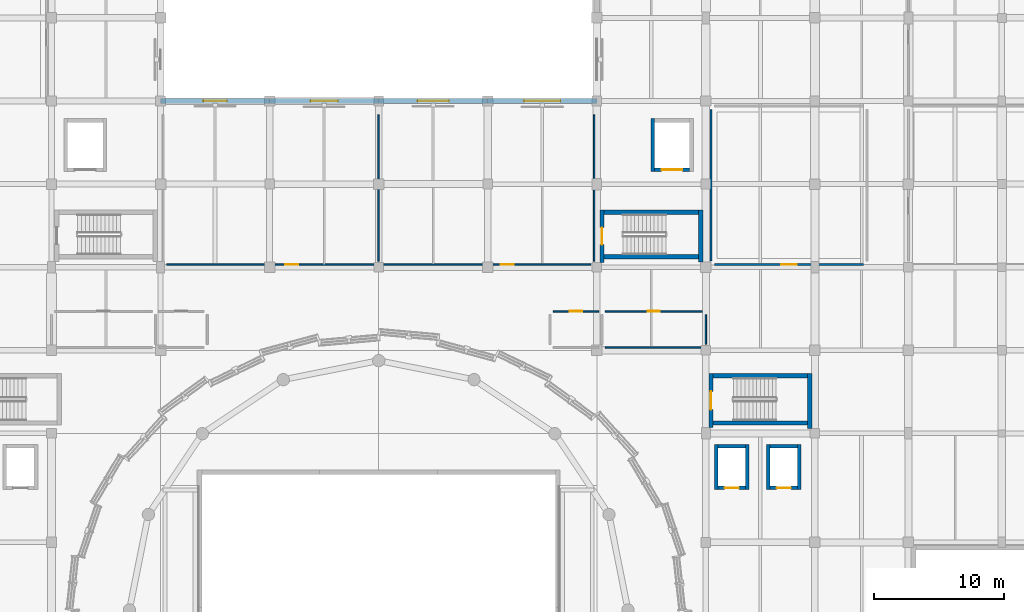
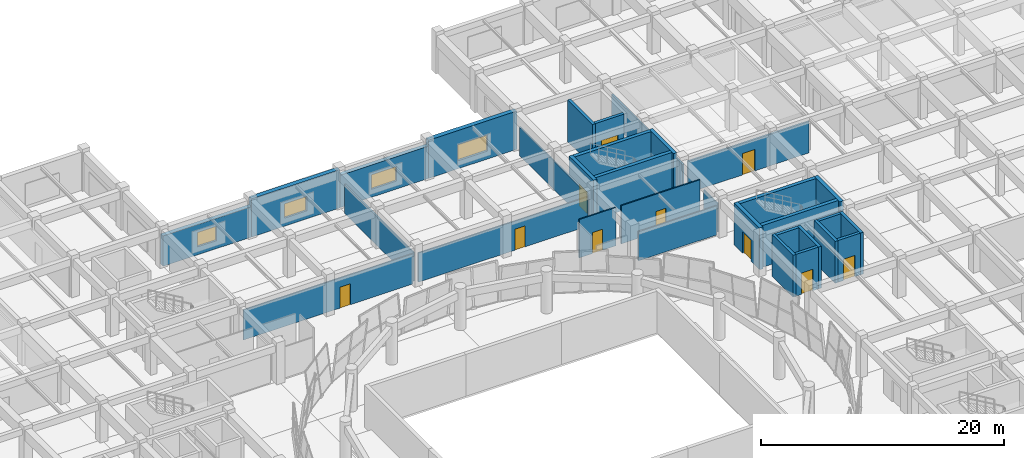
# One storey, part 51 of 71: 32 walls, 10 doors, 4 windows, 14 openings.
"""IFC4 building model written with IfcOpenShell, lengths in metres."""

from ifc_helpers import new_model, si_unit, direction, frame, frame_2d, origin, place, context, subcontext, project, spatial, rectangle, extrude, material, layer, layer_set, type_object, element, fill, save


model = new_model("IFC4")

# Units and contexts
model_context = context("Model", 3, precision=1e-05, world=origin(), true_north=direction((0.0, 1.0)))
body_context = subcontext(model_context, "Body", "Model", "MODEL_VIEW")
ifc_project = project(units=[si_unit("LENGTHUNIT", "METRE"), si_unit("AREAUNIT", "SQUARE_METRE"), si_unit("VOLUMEUNIT", "CUBIC_METRE"), si_unit("PLANEANGLEUNIT", "RADIAN"), si_unit("MASSUNIT", "GRAM", prefix="KILO")], contexts=[model_context])

# Site, building, storey
site_placement = place(None, origin())
site = spatial("IfcSite", under=ifc_project, at=site_placement, CompositionType="ELEMENT")
building_placement = place(site_placement, origin())
building = spatial("IfcBuilding", under=site, at=building_placement, Name="Korsvaeld Concert Hall", CompositionType="ELEMENT")
storey_placement = place(building_placement, frame((0.0, 0.0, 4.800048828125)))
storey = spatial("IfcBuildingStorey", under=building, at=storey_placement, Name="L01", CompositionType="ELEMENT", Elevation=4.800048828125)

# Walls
ifc_material_1 = material(Name="Concrete C40/50", Category="concrete")
ifc_layer_1 = layer(ifc_material_1, 0.340087890625)
ifc_layer_set_1 = layer_set([ifc_layer_1], Name="Concrete C40/50")
wall_type_1 = type_object("IfcWallType", Name="WL-CORE-340", PredefinedType="SHEAR", material=ifc_layer_set_1)
wall_1_placement = place(storey_placement, frame((109.77001953125, 77.60009765625, 0.0), z_axis=(0.0, 0.0, 1.0), x_axis=(1.0, 0.0, 0.0)))
element("IfcWall", 1, at=wall_1_placement, inside=storey, type_object=wall_type_1, Name="Core K2 shear wall L01 S", PredefinedType="SHEAR", context=body_context, shape_type="SweptSolid", body=[
    extrude(rectangle(XDim=7.260009765625, YDim=0.340087890625, at=frame_2d((3.6298828125, 0.0))), origin(), (0.0, 0.0, 1.0), 4.199951171875),
])
wall_2_placement = place(storey_placement, frame((117.199951171875, 77.175048828125, 0.0), z_axis=(0.0, 0.0, 1.0), x_axis=(0.0, 1.0, 0.0)))
element("IfcWall", 2, at=wall_2_placement, inside=storey, type_object=wall_type_1, Name="Core K2 shear wall L01 E", PredefinedType="SHEAR", context=body_context, shape_type="SweptSolid", body=[
    extrude(rectangle(XDim=4.23486328125, YDim=0.340087890625, at=frame_2d((2.117431640625, 0.0))), origin(), (0.0, 0.0, 1.0), 4.199951171875),
])
wall_3_placement = place(storey_placement, frame((117.030029296875, 81.239990234375, 0.0), z_axis=(0.0, 0.0, 1.0), x_axis=(-1.0, 0.0, 0.0)))
element("IfcWall", 3, at=wall_3_placement, inside=storey, type_object=wall_type_1, Name="Core K2 shear wall L01 N", PredefinedType="SHEAR", context=body_context, shape_type="SweptSolid", body=[
    extrude(rectangle(XDim=7.260009765625, YDim=0.340087890625, at=frame_2d((3.6298828125, 0.0))), origin(), (0.0, 0.0, 1.0), 4.199951171875),
])

# Wall, opening, door
wall_4_placement = place(storey_placement, frame((109.60009765625, 81.409912109375, 0.0), z_axis=(0.0, 0.0, 1.0), x_axis=(0.0, -1.0, 0.0)))
wall_4 = element("IfcWall", 4, at=wall_4_placement, inside=storey, type_object=wall_type_1, Name="Core K2 shear wall L01 W", PredefinedType="SHEAR", context=body_context, shape_type="SweptSolid", body=[
    extrude(rectangle(XDim=4.159912109375, YDim=0.340087890625, at=frame_2d((2.080078125, 0.0))), origin(), (0.0, 0.0, 1.0), 4.199951171875),
])
opening_1_placement = place(wall_4_placement, frame((1.3798828125, 0.0, 0.0)))
opening_1 = element("IfcOpeningElement", 5, at=opening_1_placement, cuts=wall_4, Name="Opening FD-02", PredefinedType="OPENING", context=body_context, shape_type="SweptSolid", body=[
    extrude(rectangle(XDim=1.39990234375, YDim=2.14990234375, at=frame_2d((0.699951171875, 1.074951171875))), frame((0.0, 0.18017578125, 0.0), z_axis=(0.0, -1.0, 0.0), x_axis=(1.0, 0.0, 0.0)), (0.0, 0.0, 1.0), 0.360107421875),
])
ifc_material_2 = material(Name="Acoustic steel and oak fire door", Category="steel")
door_type_1 = type_object("IfcDoorType", Name="DR-FD-STAIR-140x215", OperationType="NOTDEFINED", PredefinedType="DOOR", material=ifc_material_2)
door_1_placement = place(opening_1_placement, origin())
door_1 = element("IfcDoor", 6, at=door_1_placement, inside=storey, type_object=door_type_1, Name="Escape stair ST-K2 fire door L01", OperationType="SINGLE_SWING_LEFT", OverallHeight=2.14990234375, OverallWidth=1.39990234375, PredefinedType="DOOR", context=body_context, shape_type="SweptSolid", body=[
    extrude(rectangle(XDim=1.39990234375, YDim=2.14990234375, at=frame_2d((0.699951171875, 1.074951171875))), frame((0.0, 0.02490234375, 0.0), z_axis=(0.0, -1.0, 0.0), x_axis=(1.0, 0.0, 0.0)), (0.0, 0.0, 1.0), 0.050048828125),
])
fill(opening_1, door_1)

# Walls
wall_5_placement = place(storey_placement, frame((101.3701171875, 90.39990234375, 0.0), z_axis=(0.0, 0.0, 1.0), x_axis=(1.0, 0.0, 0.0)))
element("IfcWall", 7, at=wall_5_placement, inside=storey, type_object=wall_type_1, Name="Core K6 shear wall L01 S", PredefinedType="SHEAR", context=body_context, shape_type="SweptSolid", body=[
    extrude(rectangle(XDim=7.259765625, YDim=0.340087890625, at=frame_2d((3.6298828125, 0.0))), origin(), (0.0, 0.0, 1.0), 4.199951171875),
])
wall_6_placement = place(storey_placement, frame((108.800048828125, 90.0, 0.0), z_axis=(0.0, 0.0, 1.0), x_axis=(0.0, 1.0, 0.0)))
element("IfcWall", 8, at=wall_6_placement, inside=storey, type_object=wall_type_1, Name="Core K6 shear wall L01 E", PredefinedType="SHEAR", context=body_context, shape_type="SweptSolid", body=[
    extrude(rectangle(XDim=4.010009765625, YDim=0.340087890625, at=frame_2d((2.0048828125, 0.0))), origin(), (0.0, 0.0, 1.0), 4.199951171875),
])
wall_7_placement = place(storey_placement, frame((108.6298828125, 93.840087890625, 0.0), z_axis=(0.0, 0.0, 1.0), x_axis=(-1.0, 0.0, 0.0)))
element("IfcWall", 9, at=wall_7_placement, inside=storey, type_object=wall_type_1, Name="Core K6 shear wall L01 N", PredefinedType="SHEAR", context=body_context, shape_type="SweptSolid", body=[
    extrude(rectangle(XDim=7.259765625, YDim=0.340087890625, at=frame_2d((3.6298828125, 0.0))), origin(), (0.0, 0.0, 1.0), 4.199951171875),
])

# Wall, opening, door
wall_8_placement = place(storey_placement, frame((101.199951171875, 94.010009765625, 0.0), z_axis=(0.0, 0.0, 1.0), x_axis=(0.0, -1.0, 0.0)))
wall_8 = element("IfcWall", 10, at=wall_8_placement, inside=storey, type_object=wall_type_1, Name="Core K6 shear wall L01 W", PredefinedType="SHEAR", context=body_context, shape_type="SweptSolid", body=[
    extrude(rectangle(XDim=4.034912109375, YDim=0.340087890625, at=frame_2d((2.017578125, 0.0))), origin(), (0.0, 0.0, 1.0), 4.199951171875),
])
opening_2_placement = place(wall_8_placement, frame((1.367431640625, 0.0, 0.0)))
opening_2 = element("IfcOpeningElement", 11, at=opening_2_placement, cuts=wall_8, Name="Opening FD-01", PredefinedType="OPENING", context=body_context, shape_type="SweptSolid", body=[
    extrude(rectangle(XDim=1.300048828125, YDim=2.14990234375, at=frame_2d((0.64990234375, 1.074951171875))), frame((0.0, 0.18017578125, 0.0), z_axis=(0.0, -1.0, 0.0), x_axis=(1.0, 0.0, 0.0)), (0.0, 0.0, 1.0), 0.360107421875),
])
door_type_2 = type_object("IfcDoorType", Name="DR-FD-STAIR-130x215", OperationType="NOTDEFINED", PredefinedType="DOOR", material=ifc_material_2)
door_2_placement = place(opening_2_placement, origin())
door_2 = element("IfcDoor", 12, at=door_2_placement, inside=storey, type_object=door_type_2, Name="Escape stair ST-K6 fire door L01", OperationType="SINGLE_SWING_LEFT", OverallHeight=2.14990234375, OverallWidth=1.300048828125, PredefinedType="DOOR", context=body_context, shape_type="SweptSolid", body=[
    extrude(rectangle(XDim=1.300048828125, YDim=2.14990234375, at=frame_2d((0.64990234375, 1.074951171875))), frame((0.0, 0.02490234375, 0.0), z_axis=(0.0, -1.0, 0.0), x_axis=(1.0, 0.0, 0.0)), (0.0, 0.0, 1.0), 0.050048828125),
])
fill(opening_2, door_2)

# Wall, opening, window
ifc_material_3 = material(Name="Obernkirchener buff sandstone rainscreen on Concrete C35/45", Category="masonry")
ifc_layer_2 = layer(ifc_material_3, 0.389892578125)
ifc_layer_set_2 = layer_set([ifc_layer_2], Name="Obernkirchener buff sandstone rainscreen on Concrete C35/45")
wall_type_2 = type_object("IfcWallType", Name="WL-EXT-BUFF-390", PredefinedType="STANDARD", material=ifc_layer_set_2)
wall_9_placement = place(storey_placement, frame((67.199951171875, 102.39990234375, 0.0), z_axis=(0.0, 0.0, 1.0), x_axis=(1.0, 0.0, 0.0)))
wall_9 = element("IfcWall", 13, at=wall_9_placement, inside=storey, type_object=wall_type_2, Name="Exterior sandstone wall L01-159", PredefinedType="STANDARD", context=body_context, shape_type="SweptSolid", body=[
    extrude(rectangle(XDim=8.400146484375, YDim=0.389892578125, at=frame_2d((4.2001953125, 0.0))), origin(), (0.0, 0.0, 1.0), 3.0400390625),
])
opening_3_placement = place(wall_9_placement, frame((3.300048828125, 0.0, 0.800048828125)))
opening_3 = element("IfcOpeningElement", 14, at=opening_3_placement, cuts=wall_9, Name="Opening WN-08", PredefinedType="OPENING", context=body_context, shape_type="SweptSolid", body=[
    extrude(rectangle(XDim=1.800048828125, YDim=1.449951171875, at=frame_2d((0.89990234375, 0.72509765625))), frame((0.0, 0.205078125, 0.0), z_axis=(0.0, -1.0, 0.0), x_axis=(1.0, 0.0, 0.0)), (0.0, 0.0, 1.0), 0.409912109375),
])
ifc_material_4 = material(Name="Anodised bronze frame with acoustic triple glazing", Category="glass")
window_type_1 = type_object("IfcWindowType", Name="WIN-AC-180x145", PartitioningType="SINGLE_PANEL", PredefinedType="WINDOW", material=ifc_material_4)
window_1_placement = place(opening_3_placement, origin())
window_1 = element("IfcWindow", 15, at=window_1_placement, inside=storey, type_object=window_type_1, Name="Acoustic triple-glazed window L01-069", OverallHeight=1.449951171875, OverallWidth=1.800048828125, PartitioningType="SINGLE_PANEL", PredefinedType="WINDOW", context=body_context, shape_type="SweptSolid", body=[
    extrude(rectangle(XDim=1.800048828125, YDim=1.449951171875, at=frame_2d((0.89990234375, 0.72509765625))), frame((0.0, 0.030029296875, 0.0), z_axis=(0.0, -1.0, 0.0), x_axis=(1.0, 0.0, 0.0)), (0.0, 0.0, 1.0), 0.06005859375),
])
fill(opening_3, window_1)

wall_10_placement = place(storey_placement, frame((84.0, 102.39990234375, 0.0), z_axis=(0.0, 0.0, 1.0), x_axis=(1.0, 0.0, 0.0)))
wall_10 = element("IfcWall", 16, at=wall_10_placement, inside=storey, type_object=wall_type_2, Name="Exterior sandstone wall L01-161", PredefinedType="STANDARD", context=body_context, shape_type="SweptSolid", body=[
    extrude(rectangle(XDim=8.39990234375, YDim=0.389892578125, at=frame_2d((4.199951171875, 0.0))), origin(), (0.0, 0.0, 1.0), 3.239990234375),
])
opening_4_placement = place(wall_10_placement, frame((3.0, 0.0, 0.800048828125)))
opening_4 = element("IfcOpeningElement", 17, at=opening_4_placement, cuts=wall_10, Name="Opening WN-10", PredefinedType="OPENING", context=body_context, shape_type="SweptSolid", body=[
    extrude(rectangle(XDim=2.39990234375, YDim=1.449951171875, at=frame_2d((1.199951171875, 0.72509765625))), frame((0.0, 0.205078125, 0.0), z_axis=(0.0, -1.0, 0.0), x_axis=(1.0, 0.0, 0.0)), (0.0, 0.0, 1.0), 0.409912109375),
])
window_type_2 = type_object("IfcWindowType", Name="WIN-AC-240x145", PartitioningType="TRIPLE_PANEL_VERTICAL", PredefinedType="WINDOW", material=ifc_material_4)
window_2_placement = place(opening_4_placement, origin())
window_2 = element("IfcWindow", 18, at=window_2_placement, inside=storey, type_object=window_type_2, Name="Acoustic triple-glazed window L01-071", OverallHeight=1.449951171875, OverallWidth=2.39990234375, PartitioningType="TRIPLE_PANEL_VERTICAL", PredefinedType="WINDOW", context=body_context, shape_type="SweptSolid", body=[
    extrude(rectangle(XDim=2.39990234375, YDim=1.449951171875, at=frame_2d((1.199951171875, 0.72509765625))), frame((0.0, 0.030029296875, 0.0), z_axis=(0.0, -1.0, 0.0), x_axis=(1.0, 0.0, 0.0)), (0.0, 0.0, 1.0), 0.06005859375),
])
fill(opening_4, window_2)

ifc_material_5 = material(Name="Bornholm Nexo rose-red sandstone rainscreen on Concrete C35/45", Category="masonry")
ifc_layer_3 = layer(ifc_material_5, 0.419921875)
ifc_layer_set_3 = layer_set([ifc_layer_3], Name="Bornholm Nexo rose-red sandstone rainscreen on Concrete C35/45")
wall_type_3 = type_object("IfcWallType", Name="WL-EXT-NEXO-420", PredefinedType="STANDARD", material=ifc_layer_set_3)
wall_11_placement = place(storey_placement, frame((75.60009765625, 102.39990234375, 0.0), z_axis=(0.0, 0.0, 1.0), x_axis=(1.0, 0.0, 0.0)))
wall_11 = element("IfcWall", 19, at=wall_11_placement, inside=storey, type_object=wall_type_3, Name="Exterior sandstone wall L01-160", PredefinedType="STANDARD", context=body_context, shape_type="SweptSolid", body=[
    extrude(rectangle(XDim=8.39990234375, YDim=0.419921875, at=frame_2d((4.199951171875, 0.0))), origin(), (0.0, 0.0, 1.0), 3.83984375),
])
opening_5_placement = place(wall_11_placement, frame((3.14990234375, 0.0, 0.800048828125)))
opening_5 = element("IfcOpeningElement", 20, at=opening_5_placement, cuts=wall_11, Name="Opening WN-09", PredefinedType="OPENING", context=body_context, shape_type="SweptSolid", body=[
    extrude(rectangle(XDim=2.10009765625, YDim=1.449951171875, at=frame_2d((1.050048828125, 0.72509765625))), frame((0.0, 0.219970703125, 0.0), z_axis=(0.0, -1.0, 0.0), x_axis=(1.0, 0.0, 0.0)), (0.0, 0.0, 1.0), 0.43994140625),
])
window_type_3 = type_object("IfcWindowType", Name="WIN-AC-210x145", PartitioningType="SINGLE_PANEL", PredefinedType="WINDOW", material=ifc_material_4)
window_3_placement = place(opening_5_placement, origin())
window_3 = element("IfcWindow", 21, at=window_3_placement, inside=storey, type_object=window_type_3, Name="Acoustic triple-glazed window L01-070", OverallHeight=1.449951171875, OverallWidth=2.10009765625, PartitioningType="SINGLE_PANEL", PredefinedType="WINDOW", context=body_context, shape_type="SweptSolid", body=[
    extrude(rectangle(XDim=2.10009765625, YDim=1.449951171875, at=frame_2d((1.050048828125, 0.72509765625))), frame((0.0, 0.030029296875, 0.0), z_axis=(0.0, -1.0, 0.0), x_axis=(1.0, 0.0, 0.0)), (0.0, 0.0, 1.0), 0.06005859375),
])
fill(opening_5, window_3)

wall_12_placement = place(storey_placement, frame((92.39990234375, 102.39990234375, 0.0), z_axis=(0.0, 0.0, 1.0), x_axis=(1.0, 0.0, 0.0)))
wall_12 = element("IfcWall", 22, at=wall_12_placement, inside=storey, type_object=wall_type_3, Name="Exterior sandstone wall L01-162", PredefinedType="STANDARD", context=body_context, shape_type="SweptSolid", body=[
    extrude(rectangle(XDim=8.400146484375, YDim=0.419921875, at=frame_2d((4.2001953125, 0.0))), origin(), (0.0, 0.0, 1.0), 3.83984375),
])
opening_6_placement = place(wall_12_placement, frame((2.800048828125, 0.0, 0.800048828125)))
opening_6 = element("IfcOpeningElement", 23, at=opening_6_placement, cuts=wall_12, Name="Opening WN-14", PredefinedType="OPENING", context=body_context, shape_type="SweptSolid", body=[
    extrude(rectangle(XDim=2.800048828125, YDim=1.60009765625, at=frame_2d((1.39990234375, 0.800048828125))), frame((0.0, 0.219970703125, 0.0), z_axis=(0.0, -1.0, 0.0), x_axis=(1.0, 0.0, 0.0)), (0.0, 0.0, 1.0), 0.43994140625),
])
window_type_4 = type_object("IfcWindowType", Name="WIN-AC-280x160", PartitioningType="TRIPLE_PANEL_VERTICAL", PredefinedType="WINDOW", material=ifc_material_4)
window_4_placement = place(opening_6_placement, origin())
window_4 = element("IfcWindow", 24, at=window_4_placement, inside=storey, type_object=window_type_4, Name="Acoustic triple-glazed window L01-072", OverallHeight=1.60009765625, OverallWidth=2.800048828125, PartitioningType="TRIPLE_PANEL_VERTICAL", PredefinedType="WINDOW", context=body_context, shape_type="SweptSolid", body=[
    extrude(rectangle(XDim=2.800048828125, YDim=1.60009765625, at=frame_2d((1.39990234375, 0.800048828125))), frame((0.0, 0.030029296875, 0.0), z_axis=(0.0, -1.0, 0.0), x_axis=(1.0, 0.0, 0.0)), (0.0, 0.0, 1.0), 0.06005859375),
])
fill(opening_6, window_4)

# Wall, opening, door
ifc_material_6 = material(Name="Insulated acoustic gypsum partition")
ifc_layer_4 = layer(ifc_material_6, 0.125)
ifc_layer_set_4 = layer_set([ifc_layer_4], Name="Insulated acoustic gypsum partition")
wall_type_4 = type_object("IfcWallType", Name="WL-PART-125", PredefinedType="PARTITIONING", material=ifc_layer_set_4)
wall_13_placement = place(storey_placement, frame((67.659912109375, 89.800048828125, 0.0), z_axis=(0.0, 0.0, 1.0), x_axis=(1.0, 0.0, 0.0)))
wall_13 = element("IfcWall", 25, at=wall_13_placement, inside=storey, type_object=wall_type_4, Name="Interior partition L01-20 S", PredefinedType="PARTITIONING", context=body_context, shape_type="SweptSolid", body=[
    extrude(rectangle(XDim=16.080078125, YDim=0.125, at=frame_2d((8.0400390625, 0.0))), origin(), (0.0, 0.0, 1.0), 3.014892578125),
])
opening_7_placement = place(wall_13_placement, frame((9.14990234375, 0.0, 0.0)))
opening_7 = element("IfcOpeningElement", 26, at=opening_7_placement, cuts=wall_13, Name="Opening ID-03", PredefinedType="OPENING", context=body_context, shape_type="SweptSolid", body=[
    extrude(rectangle(XDim=0.97998046875, YDim=2.10009765625, at=frame_2d((0.489990234375, 1.050048828125))), frame((0.0, 0.072509765625, 0.0), z_axis=(0.0, -1.0, 0.0), x_axis=(1.0, 0.0, 0.0)), (0.0, 0.0, 1.0), 0.14501953125),
])
ifc_material_7 = material(Name="European oak dressing room door")
door_type_3 = type_object("IfcDoorType", Name="DR-INT-DRS-098x210", OperationType="NOTDEFINED", PredefinedType="DOOR", material=ifc_material_7)
door_3_placement = place(opening_7_placement, origin())
door_3 = element("IfcDoor", 27, at=door_3_placement, inside=storey, type_object=door_type_3, Name="String Section Dressing Rooms door L01-20", OperationType="SINGLE_SWING_LEFT", OverallHeight=2.10009765625, OverallWidth=0.97998046875, PredefinedType="DOOR", context=body_context, shape_type="SweptSolid", body=[
    extrude(rectangle(XDim=0.97998046875, YDim=2.10009765625, at=frame_2d((0.489990234375, 1.050048828125))), frame((0.0, 0.02490234375, 0.0), z_axis=(0.0, -1.0, 0.0), x_axis=(1.0, 0.0, 0.0)), (0.0, 0.0, 1.0), 0.050048828125),
])
fill(opening_7, door_3)

# Wall
wall_14_placement = place(storey_placement, frame((84.0, 90.06005859375, 0.0), z_axis=(0.0, 0.0, 1.0), x_axis=(0.0, 1.0, 0.0)))
element("IfcWall", 28, at=wall_14_placement, inside=storey, type_object=wall_type_4, Name="Interior partition L01-20 E", PredefinedType="PARTITIONING", context=body_context, shape_type="SweptSolid", body=[
    extrude(rectangle(XDim=11.280029296875, YDim=0.125, at=frame_2d((5.64013671875, 0.0))), origin(), (0.0, 0.0, 1.0), 2.9150390625),
])

# Wall, opening, door
wall_15_placement = place(storey_placement, frame((84.260009765625, 89.800048828125, 0.0), z_axis=(0.0, 0.0, 1.0), x_axis=(1.0, 0.0, 0.0)))
wall_15 = element("IfcWall", 29, at=wall_15_placement, inside=storey, type_object=wall_type_4, Name="Interior partition L01-21 S", PredefinedType="PARTITIONING", context=body_context, shape_type="SweptSolid", body=[
    extrude(rectangle(XDim=16.080078125, YDim=0.125, at=frame_2d((8.0400390625, 0.0))), origin(), (0.0, 0.0, 1.0), 2.9150390625),
])
opening_8_placement = place(wall_15_placement, frame((9.14990234375, 0.0, 0.0)))
opening_8 = element("IfcOpeningElement", 30, at=opening_8_placement, cuts=wall_15, Name="Opening ID-03", PredefinedType="OPENING", context=body_context, shape_type="SweptSolid", body=[
    extrude(rectangle(XDim=0.97998046875, YDim=2.10009765625, at=frame_2d((0.489990234375, 1.050048828125))), frame((0.0, 0.072509765625, 0.0), z_axis=(0.0, -1.0, 0.0), x_axis=(1.0, 0.0, 0.0)), (0.0, 0.0, 1.0), 0.14501953125),
])
door_4_placement = place(opening_8_placement, origin())
door_4 = element("IfcDoor", 31, at=door_4_placement, inside=storey, type_object=door_type_3, Name="Brass & Woodwind Dressing Rooms door L01-21", OperationType="SINGLE_SWING_RIGHT", OverallHeight=2.10009765625, OverallWidth=0.97998046875, PredefinedType="DOOR", context=body_context, shape_type="SweptSolid", body=[
    extrude(rectangle(XDim=0.97998046875, YDim=2.10009765625, at=frame_2d((0.489990234375, 1.050048828125))), frame((0.0, 0.02490234375, 0.0), z_axis=(0.0, -1.0, 0.0), x_axis=(1.0, 0.0, 0.0)), (0.0, 0.0, 1.0), 0.050048828125),
])
fill(opening_8, door_4)

# Walls
wall_16_placement = place(storey_placement, frame((100.60009765625, 90.06005859375, 0.0), z_axis=(0.0, 0.0, 1.0), x_axis=(0.0, 1.0, 0.0)))
element("IfcWall", 32, at=wall_16_placement, inside=storey, type_object=wall_type_4, Name="Interior partition L01-21 E", PredefinedType="PARTITIONING", context=body_context, shape_type="SweptSolid", body=[
    extrude(rectangle(XDim=11.280029296875, YDim=0.125, at=frame_2d((5.64013671875, 0.0))), origin(), (0.0, 0.0, 1.0), 2.864990234375),
])
wall_17_placement = place(storey_placement, frame((101.4599609375, 83.39990234375, 0.0), z_axis=(0.0, 0.0, 1.0), x_axis=(1.0, 0.0, 0.0)))
element("IfcWall", 33, at=wall_17_placement, inside=storey, type_object=wall_type_4, Name="Interior partition L01-29 S", PredefinedType="PARTITIONING", context=body_context, shape_type="SweptSolid", body=[
    extrude(rectangle(XDim=7.47998046875, YDim=0.125, at=frame_2d((3.739990234375, 0.0))), origin(), (0.0, 0.0, 1.0), 2.9150390625),
])
wall_18_placement = place(storey_placement, frame((109.199951171875, 83.659912109375, 0.0), z_axis=(0.0, 0.0, 1.0), x_axis=(0.0, 1.0, 0.0)))
element("IfcWall", 34, at=wall_18_placement, inside=storey, type_object=wall_type_4, Name="Interior partition L01-29 E", PredefinedType="PARTITIONING", context=body_context, shape_type="SweptSolid", body=[
    extrude(rectangle(XDim=2.280029296875, YDim=0.125, at=frame_2d((1.14013671875, 0.0))), origin(), (0.0, 0.0, 1.0), 2.864990234375),
])

# Wall, opening, door
wall_19_placement = place(storey_placement, frame((108.93994140625, 86.199951171875, 0.0), z_axis=(0.0, 0.0, 1.0), x_axis=(-1.0, 0.0, 0.0)))
wall_19 = element("IfcWall", 35, at=wall_19_placement, inside=storey, type_object=wall_type_4, Name="Interior partition L01-29 N", PredefinedType="PARTITIONING", context=body_context, shape_type="SweptSolid", body=[
    extrude(rectangle(XDim=7.47998046875, YDim=0.125, at=frame_2d((3.739990234375, 0.0))), origin(), (0.0, 0.0, 1.0), 3.83984375),
])
opening_9_placement = place(wall_19_placement, frame((3.27001953125, 0.0, 0.0)))
opening_9 = element("IfcOpeningElement", 36, at=opening_9_placement, cuts=wall_19, Name="Opening ID-05", PredefinedType="OPENING", context=body_context, shape_type="SweptSolid", body=[
    extrude(rectangle(XDim=0.93994140625, YDim=2.10009765625, at=frame_2d((0.469970703125, 1.050048828125))), frame((0.0, 0.072509765625, 0.0), z_axis=(0.0, -1.0, 0.0), x_axis=(1.0, 0.0, 0.0)), (0.0, 0.0, 1.0), 0.14501953125),
])
ifc_material_8 = material(Name="Accessible washroom oak door")
door_type_4 = type_object("IfcDoorType", Name="DR-INT-WC-094x210", OperationType="NOTDEFINED", PredefinedType="DOOR", material=ifc_material_8)
door_5_placement = place(opening_9_placement, origin())
door_5 = element("IfcDoor", 37, at=door_5_placement, inside=storey, type_object=door_type_4, Name="Public Male & Female WC L01 East door L01-29", OperationType="SINGLE_SWING_RIGHT", OverallHeight=2.10009765625, OverallWidth=0.93994140625, PredefinedType="DOOR", context=body_context, shape_type="SweptSolid", body=[
    extrude(rectangle(XDim=0.93994140625, YDim=2.10009765625, at=frame_2d((0.469970703125, 1.050048828125))), frame((0.0, 0.02490234375, 0.0), z_axis=(0.0, -1.0, 0.0), x_axis=(1.0, 0.0, 0.0)), (0.0, 0.0, 1.0), 0.050048828125),
])
fill(opening_9, door_5)

wall_20_placement = place(storey_placement, frame((100.93994140625, 86.199951171875, 0.0), z_axis=(0.0, 0.0, 1.0), x_axis=(-1.0, 0.0, 0.0)))
wall_20 = element("IfcWall", 38, at=wall_20_placement, inside=storey, type_object=wall_type_4, Name="Interior partition L01-30 N", PredefinedType="PARTITIONING", context=body_context, shape_type="SweptSolid", body=[
    extrude(rectangle(XDim=3.47998046875, YDim=0.125, at=frame_2d((1.739990234375, 0.0))), origin(), (0.0, 0.0, 1.0), 3.83984375),
])
opening_10_placement = place(wall_20_placement, frame((1.27001953125, 0.0, 0.0)))
opening_10 = element("IfcOpeningElement", 39, at=opening_10_placement, cuts=wall_20, Name="Opening ID-05", PredefinedType="OPENING", context=body_context, shape_type="SweptSolid", body=[
    extrude(rectangle(XDim=0.93994140625, YDim=2.10009765625, at=frame_2d((0.469970703125, 1.050048828125))), frame((0.0, 0.072509765625, 0.0), z_axis=(0.0, -1.0, 0.0), x_axis=(1.0, 0.0, 0.0)), (0.0, 0.0, 1.0), 0.14501953125),
])
door_6_placement = place(opening_10_placement, origin())
door_6 = element("IfcDoor", 40, at=door_6_placement, inside=storey, type_object=door_type_4, Name="Accessible WC L01 East door L01-30", OperationType="SINGLE_SWING_LEFT", OverallHeight=2.10009765625, OverallWidth=0.93994140625, PredefinedType="DOOR", context=body_context, shape_type="SweptSolid", body=[
    extrude(rectangle(XDim=0.93994140625, YDim=2.10009765625, at=frame_2d((0.469970703125, 1.050048828125))), frame((0.0, 0.02490234375, 0.0), z_axis=(0.0, -1.0, 0.0), x_axis=(1.0, 0.0, 0.0)), (0.0, 0.0, 1.0), 0.050048828125),
])
fill(opening_10, door_6)

ifc_material_9 = material(Name="Double-stud acoustic rehearsal partition")
ifc_layer_5 = layer(ifc_material_9, 0.159912109375)
ifc_layer_set_5 = layer_set([ifc_layer_5], Name="Double-stud acoustic rehearsal partition")
wall_type_5 = type_object("IfcWallType", Name="WL-PART-160", PredefinedType="PARTITIONING", material=ifc_layer_set_5)
wall_21_placement = place(storey_placement, frame((109.860107421875, 89.800048828125, 0.0), z_axis=(0.0, 0.0, 1.0), x_axis=(1.0, 0.0, 0.0)))
wall_21 = element("IfcWall", 41, at=wall_21_placement, inside=storey, type_object=wall_type_5, Name="Interior partition L01-22 S", PredefinedType="PARTITIONING", context=body_context, shape_type="SweptSolid", body=[
    extrude(rectangle(XDim=11.47998046875, YDim=0.159912109375, at=frame_2d((5.739990234375, 0.0))), origin(), (0.0, 0.0, 1.0), 3.1650390625),
])
opening_11_placement = place(wall_21_placement, frame((5.139892578125, 0.0, 0.0)))
opening_11 = element("IfcOpeningElement", 42, at=opening_11_placement, cuts=wall_21, Name="Opening ID-01", PredefinedType="OPENING", context=body_context, shape_type="SweptSolid", body=[
    extrude(rectangle(XDim=1.199951171875, YDim=2.14990234375, at=frame_2d((0.60009765625, 1.074951171875))), frame((0.0, 0.08984375, 0.0), z_axis=(0.0, -1.0, 0.0), x_axis=(1.0, 0.0, 0.0)), (0.0, 0.0, 1.0), 0.179931640625),
])
ifc_material_10 = material(Name="Solid European oak acoustic studio door")
door_type_5 = type_object("IfcDoorType", Name="DR-INT-REH-120x215", OperationType="NOTDEFINED", PredefinedType="DOOR", material=ifc_material_10)
door_7_placement = place(opening_11_placement, origin())
door_7 = element("IfcDoor", 43, at=door_7_placement, inside=storey, type_object=door_type_5, Name="Ensemble Rehearsal Room L01-05 door L01-22", OperationType="SINGLE_SWING_LEFT", OverallHeight=2.14990234375, OverallWidth=1.199951171875, PredefinedType="DOOR", context=body_context, shape_type="SweptSolid", body=[
    extrude(rectangle(XDim=1.199951171875, YDim=2.14990234375, at=frame_2d((0.60009765625, 1.074951171875))), frame((0.0, 0.02490234375, 0.0), z_axis=(0.0, -1.0, 0.0), x_axis=(1.0, 0.0, 0.0)), (0.0, 0.0, 1.0), 0.050048828125),
])
fill(opening_11, door_7)

# Wall
wall_22_placement = place(storey_placement, frame((109.60009765625, 101.739990234375, 0.0), z_axis=(0.0, 0.0, 1.0), x_axis=(0.0, -1.0, 0.0)))
element("IfcWall", 44, at=wall_22_placement, inside=storey, type_object=wall_type_5, Name="Interior partition L01-22 W", PredefinedType="PARTITIONING", context=body_context, shape_type="SweptSolid", body=[
    extrude(rectangle(XDim=11.679931640625, YDim=0.159912109375, at=frame_2d((5.83984375, 0.0))), origin(), (0.0, 0.0, 1.0), 2.764892578125),
])

# Wall, opening, door
ifc_layer_6 = layer(ifc_material_1, 0.280029296875)
ifc_layer_set_6 = layer_set([ifc_layer_6], Name="Concrete C40/50")
wall_type_6 = type_object("IfcWallType", Name="WL-SHAFT-280", PredefinedType="SHEAR", material=ifc_layer_set_6)
wall_23_placement = place(storey_placement, frame((110.139892578125, 72.60009765625, 0.0), z_axis=(0.0, 0.0, 1.0), x_axis=(1.0, 0.0, 0.0)))
wall_23 = element("IfcWall", 45, at=wall_23_placement, inside=storey, type_object=wall_type_6, Name="Lift LP-03 shaft wall L01 S", PredefinedType="SHEAR", context=body_context, shape_type="SweptSolid", body=[
    extrude(rectangle(XDim=2.1201171875, YDim=0.280029296875, at=frame_2d((1.06005859375, 0.0))), origin(), (0.0, 0.0, 1.0), 4.199951171875),
])
opening_12_placement = place(wall_23_placement, frame((0.510009765625, 0.0, 0.0)))
opening_12 = element("IfcOpeningElement", 46, at=opening_12_placement, cuts=wall_23, Name="Opening LD-01", PredefinedType="OPENING", context=body_context, shape_type="SweptSolid", body=[
    extrude(rectangle(XDim=1.10009765625, YDim=2.14990234375, at=frame_2d((0.550048828125, 1.074951171875))), frame((0.0, 0.14990234375, 0.0), z_axis=(0.0, -1.0, 0.0), x_axis=(1.0, 0.0, 0.0)), (0.0, 0.0, 1.0), 0.300048828125),
])
ifc_material_11 = material(Name="Brushed bronze-stainless sliding lift landing door")
door_type_6 = type_object("IfcDoorType", Name="DR-LD-PASS-110x215", OperationType="NOTDEFINED", PredefinedType="DOOR", material=ifc_material_11)
door_8_placement = place(opening_12_placement, origin())
door_8 = element("IfcDoor", 47, at=door_8_placement, inside=storey, type_object=door_type_6, Name="Lift landing door LP-03 L01", OperationType="SLIDING_TO_LEFT", OverallHeight=2.14990234375, OverallWidth=1.10009765625, PredefinedType="DOOR", context=body_context, shape_type="SweptSolid", body=[
    extrude(rectangle(XDim=1.10009765625, YDim=2.14990234375, at=frame_2d((0.550048828125, 1.074951171875))), frame((0.0, 0.02490234375, 0.0), z_axis=(0.0, -1.0, 0.0), x_axis=(1.0, 0.0, 0.0)), (0.0, 0.0, 1.0), 0.050048828125),
])
fill(opening_12, door_8)

# Walls
wall_24_placement = place(storey_placement, frame((112.39990234375, 72.4599609375, 0.0), z_axis=(0.0, 0.0, 1.0), x_axis=(0.0, 1.0, 0.0)))
element("IfcWall", 48, at=wall_24_placement, inside=storey, type_object=wall_type_6, Name="Lift LP-03 shaft wall L01 E", PredefinedType="SHEAR", context=body_context, shape_type="SweptSolid", body=[
    extrude(rectangle(XDim=3.47998046875, YDim=0.280029296875, at=frame_2d((1.739990234375, 0.0))), origin(), (0.0, 0.0, 1.0), 4.199951171875),
])
wall_25_placement = place(storey_placement, frame((112.260009765625, 75.800048828125, 0.0), z_axis=(0.0, 0.0, 1.0), x_axis=(-1.0, 0.0, 0.0)))
element("IfcWall", 49, at=wall_25_placement, inside=storey, type_object=wall_type_6, Name="Lift LP-03 shaft wall L01 N", PredefinedType="SHEAR", context=body_context, shape_type="SweptSolid", body=[
    extrude(rectangle(XDim=2.1201171875, YDim=0.280029296875, at=frame_2d((1.06005859375, 0.0))), origin(), (0.0, 0.0, 1.0), 4.199951171875),
])
wall_26_placement = place(storey_placement, frame((110.0, 75.93994140625, 0.0), z_axis=(0.0, 0.0, 1.0), x_axis=(0.0, -1.0, 0.0)))
element("IfcWall", 50, at=wall_26_placement, inside=storey, type_object=wall_type_6, Name="Lift LP-03 shaft wall L01 W", PredefinedType="SHEAR", context=body_context, shape_type="SweptSolid", body=[
    extrude(rectangle(XDim=3.47998046875, YDim=0.280029296875, at=frame_2d((1.739990234375, 0.0))), origin(), (0.0, 0.0, 1.0), 4.199951171875),
])

# Wall, opening, door
wall_27_placement = place(storey_placement, frame((114.139892578125, 72.60009765625, 0.0), z_axis=(0.0, 0.0, 1.0), x_axis=(1.0, 0.0, 0.0)))
wall_27 = element("IfcWall", 51, at=wall_27_placement, inside=storey, type_object=wall_type_6, Name="Lift LP-04 shaft wall L01 S", PredefinedType="SHEAR", context=body_context, shape_type="SweptSolid", body=[
    extrude(rectangle(XDim=2.1201171875, YDim=0.280029296875, at=frame_2d((1.06005859375, 0.0))), origin(), (0.0, 0.0, 1.0), 4.199951171875),
])
opening_13_placement = place(wall_27_placement, frame((0.510009765625, 0.0, 0.0)))
opening_13 = element("IfcOpeningElement", 52, at=opening_13_placement, cuts=wall_27, Name="Opening LD-01", PredefinedType="OPENING", context=body_context, shape_type="SweptSolid", body=[
    extrude(rectangle(XDim=1.10009765625, YDim=2.14990234375, at=frame_2d((0.550048828125, 1.074951171875))), frame((0.0, 0.14990234375, 0.0), z_axis=(0.0, -1.0, 0.0), x_axis=(1.0, 0.0, 0.0)), (0.0, 0.0, 1.0), 0.300048828125),
])
door_9_placement = place(opening_13_placement, origin())
door_9 = element("IfcDoor", 53, at=door_9_placement, inside=storey, type_object=door_type_6, Name="Lift landing door LP-04 L01", OperationType="SLIDING_TO_RIGHT", OverallHeight=2.14990234375, OverallWidth=1.10009765625, PredefinedType="DOOR", context=body_context, shape_type="SweptSolid", body=[
    extrude(rectangle(XDim=1.10009765625, YDim=2.14990234375, at=frame_2d((0.550048828125, 1.074951171875))), frame((0.0, 0.02490234375, 0.0), z_axis=(0.0, -1.0, 0.0), x_axis=(1.0, 0.0, 0.0)), (0.0, 0.0, 1.0), 0.050048828125),
])
fill(opening_13, door_9)

# Walls
wall_28_placement = place(storey_placement, frame((116.39990234375, 72.4599609375, 0.0), z_axis=(0.0, 0.0, 1.0), x_axis=(0.0, 1.0, 0.0)))
element("IfcWall", 54, at=wall_28_placement, inside=storey, type_object=wall_type_6, Name="Lift LP-04 shaft wall L01 E", PredefinedType="SHEAR", context=body_context, shape_type="SweptSolid", body=[
    extrude(rectangle(XDim=3.47998046875, YDim=0.280029296875, at=frame_2d((1.739990234375, 0.0))), origin(), (0.0, 0.0, 1.0), 4.199951171875),
])
wall_29_placement = place(storey_placement, frame((116.260009765625, 75.800048828125, 0.0), z_axis=(0.0, 0.0, 1.0), x_axis=(-1.0, 0.0, 0.0)))
element("IfcWall", 55, at=wall_29_placement, inside=storey, type_object=wall_type_6, Name="Lift LP-04 shaft wall L01 N", PredefinedType="SHEAR", context=body_context, shape_type="SweptSolid", body=[
    extrude(rectangle(XDim=2.1201171875, YDim=0.280029296875, at=frame_2d((1.06005859375, 0.0))), origin(), (0.0, 0.0, 1.0), 4.199951171875),
])
wall_30_placement = place(storey_placement, frame((114.0, 75.93994140625, 0.0), z_axis=(0.0, 0.0, 1.0), x_axis=(0.0, -1.0, 0.0)))
element("IfcWall", 56, at=wall_30_placement, inside=storey, type_object=wall_type_6, Name="Lift LP-04 shaft wall L01 W", PredefinedType="SHEAR", context=body_context, shape_type="SweptSolid", body=[
    extrude(rectangle(XDim=3.47998046875, YDim=0.280029296875, at=frame_2d((1.739990234375, 0.0))), origin(), (0.0, 0.0, 1.0), 4.199951171875),
])

# Wall, opening, door
wall_31_placement = place(storey_placement, frame((105.239990234375, 97.10009765625, 0.0), z_axis=(0.0, 0.0, 1.0), x_axis=(1.0, 0.0, 0.0)))
wall_31 = element("IfcWall", 57, at=wall_31_placement, inside=storey, type_object=wall_type_6, Name="Lift LG-02 shaft wall L01 S", PredefinedType="SHEAR", context=body_context, shape_type="SweptSolid", body=[
    extrude(rectangle(XDim=2.719970703125, YDim=0.280029296875, at=frame_2d((1.35986328125, 0.0))), origin(), (0.0, 0.0, 1.0), 4.199951171875),
])
opening_14_placement = place(wall_31_placement, frame((0.56005859375, 0.0, 0.0)))
opening_14 = element("IfcOpeningElement", 58, at=opening_14_placement, cuts=wall_31, Name="Opening LD-03", PredefinedType="OPENING", context=body_context, shape_type="SweptSolid", body=[
    extrude(rectangle(XDim=1.60009765625, YDim=2.300048828125, at=frame_2d((0.800048828125, 1.14990234375))), frame((0.0, 0.14990234375, 0.0), z_axis=(0.0, -1.0, 0.0), x_axis=(1.0, 0.0, 0.0)), (0.0, 0.0, 1.0), 0.300048828125),
])
ifc_material_12 = material(Name="Heavy-duty stainless sliding goods lift landing door")
door_type_7 = type_object("IfcDoorType", Name="DR-LD-GOODS-160x230", OperationType="NOTDEFINED", PredefinedType="DOOR", material=ifc_material_12)
door_10_placement = place(opening_14_placement, origin())
door_10 = element("IfcDoor", 59, at=door_10_placement, inside=storey, type_object=door_type_7, Name="Lift landing door LG-02 L01", OperationType="SLIDING_TO_RIGHT", OverallHeight=2.300048828125, OverallWidth=1.60009765625, PredefinedType="DOOR", context=body_context, shape_type="SweptSolid", body=[
    extrude(rectangle(XDim=1.60009765625, YDim=2.300048828125, at=frame_2d((0.800048828125, 1.14990234375))), frame((0.0, 0.02490234375, 0.0), z_axis=(0.0, -1.0, 0.0), x_axis=(1.0, 0.0, 0.0)), (0.0, 0.0, 1.0), 0.050048828125),
])
fill(opening_14, door_10)

# Wall
wall_32_placement = place(storey_placement, frame((105.10009765625, 101.0400390625, 0.0), z_axis=(0.0, 0.0, 1.0), x_axis=(0.0, -1.0, 0.0)))
element("IfcWall", 60, at=wall_32_placement, inside=storey, type_object=wall_type_6, Name="Lift LG-02 shaft wall L01 W", PredefinedType="SHEAR", context=body_context, shape_type="SweptSolid", body=[
    extrude(rectangle(XDim=4.080078125, YDim=0.280029296875, at=frame_2d((2.0400390625, 0.0))), origin(), (0.0, 0.0, 1.0), 4.199951171875),
])

save(model, "model.ifc")
